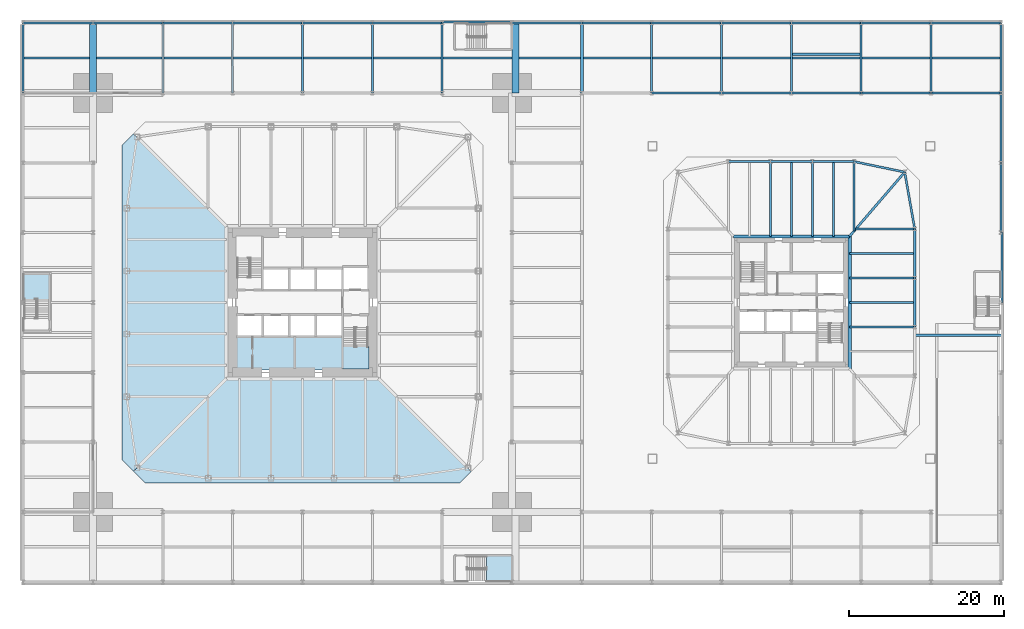
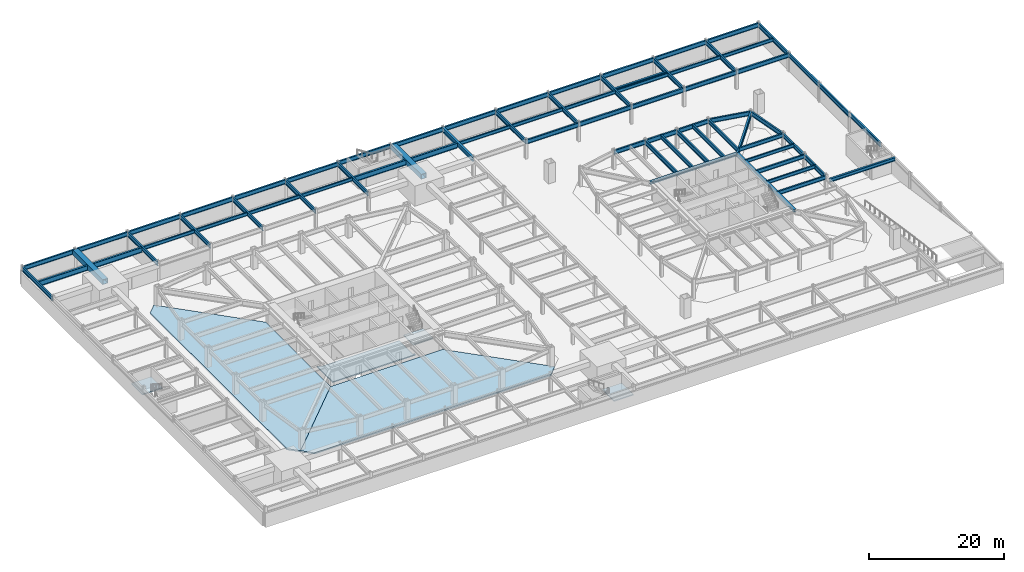
# One storey, part 8 of 17: 73 beams, 6 slabs, 3 elements without a shape of their own.
"""IFC4 building model written with IfcOpenShell, lengths in metres."""

from ifc_helpers import new_model, si_unit, direction, frame, origin, origin_2d, place, context, subcontext, project, spatial, polyline, hollow_rectangle, i_section, outline, extrude, material, layer, layer_set, constituent, constituent_set, material_profile, profile_set, type_object, element, aggregate, save


model = new_model("IFC4")

# Units and contexts
model_context = context("Model", 3, precision=1e-05, world=origin(), true_north=direction((0.0, 1.0)))
body_context = subcontext(model_context, "Body", "Model", "MODEL_VIEW")
ifc_project = project(units=[si_unit("LENGTHUNIT", "METRE"), si_unit("AREAUNIT", "SQUARE_METRE"), si_unit("VOLUMEUNIT", "CUBIC_METRE"), si_unit("PLANEANGLEUNIT", "RADIAN"), si_unit("MASSUNIT", "GRAM", prefix="KILO")], contexts=[model_context])

# Site, building, storey
site_placement = place(None, origin())
site = spatial("IfcSite", under=ifc_project, at=site_placement, CompositionType="ELEMENT")
building_placement = place(site_placement, origin())
building = spatial("IfcBuilding", under=site, at=building_placement, Name="Iwan Alto Co-Living Towers", CompositionType="ELEMENT")
storey_placement = place(building_placement, frame((0.0, 0.0, -3.60009765625)))
storey = spatial("IfcBuildingStorey", under=building, at=storey_placement, Name="B1", CompositionType="ELEMENT", Elevation=-3.60009765625)

# Beams
ifc_material_1 = material(Name="Steel ASTM A992 Gr 50", Category="steel")
ifc_material_profile_1 = material_profile(ifc_material_1, i_section(OverallWidth=0.2666015625, OverallDepth=0.76953125, WebThickness=0.015625, FlangeThickness=0.025390625, at=origin_2d()), Name="W30X132")
ifc_profile_set_1 = profile_set([ifc_material_profile_1], Name="Steel ASTM A992 Gr 50")
beam_type_1 = type_object("IfcBeamType", Name="PODIUM GROUND FLOOR BEAM W30X132", PredefinedType="BEAM", material=ifc_profile_set_1)
for number, where, z_axis, x_axis, name in (
    (1, (-36.0, 27.0, 2.96533203125), (0.0, 1.0, 0.0), (-1.0, 0.0, 0.0), "Podium beam 1/H-1/I L00"),
    (2, (-36.0, 36.0, 2.96533203125), (1.0, 0.0, 0.0), (0.0, 1.0, 0.0), "Podium beam 1/I-2/I L00"),
    (3, (-27.0, 36.0, 2.96533203125), (1.0, 0.0, 0.0), (0.0, 1.0, 0.0), "Podium beam 2/I-3/I L00"),
    (4, (-18.0, 27.0, 2.96533203125), (0.0, 1.0, 0.0), (-1.0, 0.0, 0.0), "Podium beam 3/H-3/I L00"),
    (5, (-18.0, 36.0, 2.96533203125), (1.0, 0.0, 0.0), (0.0, 1.0, 0.0), "Podium beam 3/I-4/I L00"),
    (6, (-9.0, 27.0, 2.96533203125), (0.0, 1.0, 0.0), (-1.0, 0.0, 0.0), "Podium beam 4/H-4/I L00"),
    (7, (-9.0, 36.0, 2.96533203125), (1.0, 0.0, 0.0), (0.0, 1.0, 0.0), "Podium beam 4/I-5/I L00"),
    (8, (0.0, 27.0, 2.96533203125), (0.0, 1.0, 0.0), (-1.0, 0.0, 0.0), "Podium beam 5/H-5/I L00"),
    (9, (0.0, 36.0, 2.96533203125), (1.0, 0.0, 0.0), (0.0, 1.0, 0.0), "Podium beam 5/I-6/I L00"),
    (10, (9.0, 27.0, 2.96533203125), (0.0, 1.0, 0.0), (-1.0, 0.0, 0.0), "Podium beam 6/H-6/I L00"),
    (11, (9.0, 36.0, 2.96533203125), (1.0, 0.0, 0.0), (0.0, 1.0, 0.0), "Podium beam 6/I-7/I L00"),
    (12, (18.0, 27.0, 2.96533203125), (0.0, 1.0, 0.0), (-1.0, 0.0, 0.0), "Podium beam 7/H-7/I L00"),
    (13, (18.0, 36.1533203125, 2.96533203125), (1.0, 0.0, 0.0), (0.0, 1.0, 0.0), "Podium beam 7/I-8/I L00"),
    (14, (27.0, 36.0, 2.96533203125), (1.0, 0.0, 0.0), (0.0, 1.0, 0.0), "Podium beam 8/I-9/I L00"),
    (15, (36.0, 36.0, 2.96533203125), (1.0, 0.0, 0.0), (0.0, 1.0, 0.0), "Podium beam 9/I-10/I L00"),
    (16, (45.0, 27.0, 2.96533203125), (1.0, 0.0, 0.0), (0.0, 1.0, 0.0), "Podium beam 10/H-11/H L00"),
    (17, (45.0, 27.0, 2.96533203125), (0.0, 1.0, 0.0), (-1.0, 0.0, 0.0), "Podium beam 10/H-10/I L00"),
    (18, (45.0, 36.0, 2.96533203125), (1.0, 0.0, 0.0), (0.0, 1.0, 0.0), "Podium beam 10/I-11/I L00"),
    (19, (54.0, 27.0, 2.96533203125), (1.0, 0.0, 0.0), (0.0, 1.0, 0.0), "Podium beam 11/H-12/H L00"),
    (20, (54.0, 27.0, 2.96533203125), (0.0, 1.0, 0.0), (-1.0, 0.0, 0.0), "Podium beam 11/H-11/I L00"),
    (21, (54.0, 36.0, 2.96533203125), (1.0, 0.0, 0.0), (0.0, 1.0, 0.0), "Podium beam 11/I-12/I L00"),
    (22, (63.0, 27.0, 2.96533203125), (1.0, 0.0, 0.0), (0.0, 1.0, 0.0), "Podium beam 12/H-13/H L00"),
    (23, (63.0, 27.0, 2.96533203125), (0.0, 1.0, 0.0), (-1.0, 0.0, 0.0), "Podium beam 12/H-12/I L00"),
    (24, (63.0, 36.0, 2.96533203125), (1.0, 0.0, 0.0), (0.0, 1.0, 0.0), "Podium beam 12/I-13/I L00"),
    (25, (72.0, 27.0, 2.96533203125), (1.0, 0.0, 0.0), (0.0, 1.0, 0.0), "Podium beam 13/H-14/H L00"),
    (26, (72.0, 27.0, 2.96533203125), (0.0, 1.0, 0.0), (-1.0, 0.0, 0.0), "Podium beam 13/H-13/I L00"),
    (27, (72.0, 36.0, 2.96533203125), (1.0, 0.0, 0.0), (0.0, 1.0, 0.0), "Podium beam 13/I-14/I L00"),
    (28, (81.0, 27.0, 2.96533203125), (1.0, 0.0, 0.0), (0.0, 1.0, 0.0), "Podium beam 14/H-15/H L00"),
    (29, (81.0, 27.0, 2.96533203125), (0.0, 1.0, 0.0), (-1.0, 0.0, 0.0), "Podium beam 14/H-14/I L00"),
    (30, (81.0, 36.0, 2.96533203125), (1.0, 0.0, 0.0), (0.0, 1.0, 0.0), "Podium beam 14/I-15/I L00"),
    (31, (90.1533203125, 0.0, 2.96533203125), (0.0, 1.0, 0.0), (-1.0, 0.0, 0.0), "Podium beam 15/E-15/F L00"),
    (32, (90.0, 9.0, 2.96533203125), (0.0, 1.0, 0.0), (-1.0, 0.0, 0.0), "Podium beam 15/F-15/G L00"),
    (33, (90.0, 18.0, 2.96533203125), (0.0, 1.0, 0.0), (-1.0, 0.0, 0.0), "Podium beam 15/G-15/H L00"),
    (34, (90.0, 27.0, 2.96533203125), (0.0, 1.0, 0.0), (-1.0, 0.0, 0.0), "Podium beam 15/H-15/I L00"),
):
    element("IfcBeam", number, at=place(storey_placement, frame(where, z_axis=z_axis, x_axis=x_axis)), inside=storey, type_object=beam_type_1, Name=name, PredefinedType="BEAM", context=body_context, shape_type="SweptSolid", body=[
        extrude(i_section(OverallWidth=0.2666015625, OverallDepth=0.76953125, WebThickness=0.015625, FlangeThickness=0.025390625, at=origin_2d()), origin(), (0.0, 0.0, 1.0), 9.0),
    ])
ifc_material_2 = material(Name="Steel ASTM A992 Gr 50", Category="steel")
ifc_material_profile_2 = material_profile(ifc_material_2, i_section(OverallWidth=0.381103515625, OverallDepth=0.772216796875, WebThickness=0.0166015625, FlangeThickness=0.027099609375, at=origin_2d()), Name="W30X173")
ifc_profile_set_2 = profile_set([ifc_material_profile_2], Name="Steel ASTM A992 Gr 50")
beam_type_2 = type_object("IfcBeamType", Name="PODIUM JOINT BEAM W30X173", PredefinedType="BEAM", material=ifc_profile_set_2)
beam_1_placement = place(storey_placement, frame((36.0, 27.0, 2.964111328125), z_axis=(0.0, 1.0, 0.0), x_axis=(-1.0, 0.0, 0.0)))
element("IfcBeam", 35, at=beam_1_placement, inside=storey, type_object=beam_type_2, Name="Podium beam 9/H-9/I L00", PredefinedType="BEAM", context=body_context, shape_type="SweptSolid", body=[
    extrude(i_section(OverallWidth=0.381103515625, OverallDepth=0.772216796875, WebThickness=0.0166015625, FlangeThickness=0.027099609375, at=origin_2d()), origin(), (0.0, 0.0, 1.0), 9.0),
])
ifc_material_3 = material(Name="Steel ASTM A992 Gr 50", Category="steel")
ifc_material_profile_3 = material_profile(ifc_material_3, i_section(OverallWidth=0.307373046875, OverallDepth=0.927001953125, WebThickness=0.01953125, FlangeThickness=0.031982421875, at=origin_2d()), Name="W36X194")
ifc_profile_set_3 = profile_set([ifc_material_profile_3], Name="Steel ASTM A992 Gr 50")
beam_type_3 = type_object("IfcBeamType", Name="PODIUM PIER BAY SECONDARY BEAM W36X194", PredefinedType="JOIST", material=ifc_profile_set_3)
for number, where, z_axis, x_axis, name in (
    (36, (-35.86669921875, 31.5, 2.886474609375), (1.0, 0.0, 0.0), (0.0, 1.0, 0.0), "Podium secondary beam 1/H L00"),
    (37, (-26.550048828125, 31.5, 2.886474609375), (1.0, 0.0, 0.0), (0.0, 1.0, 0.0), "Podium secondary beam 2/H L00"),
):
    element("IfcBeam", number, at=place(storey_placement, frame(where, z_axis=z_axis, x_axis=x_axis)), inside=storey, type_object=beam_type_3, Name=name, PredefinedType="JOIST", context=body_context, shape_type="SweptSolid", body=[
        extrude(i_section(OverallWidth=0.307373046875, OverallDepth=0.927001953125, WebThickness=0.01953125, FlangeThickness=0.031982421875, at=origin_2d()), origin(), (0.0, 0.0, 1.0), 8.416748046875),
    ])
beam_2_placement = place(storey_placement, frame((18.13330078125, 31.5, 2.886474609375), z_axis=(1.0, 0.0, 0.0), x_axis=(0.0, 1.0, 0.0)))
element("IfcBeam", 38, at=beam_2_placement, inside=storey, type_object=beam_type_3, Name="Podium secondary beam 7/H L00", PredefinedType="JOIST", context=body_context, shape_type="SweptSolid", body=[
    extrude(i_section(OverallWidth=0.307373046875, OverallDepth=0.927001953125, WebThickness=0.01953125, FlangeThickness=0.031982421875, at=origin_2d()), origin(), (0.0, 0.0, 1.0), 8.88671875),
])
beam_3_placement = place(storey_placement, frame((27.919921875, 31.5, 2.886474609375), z_axis=(1.0, 0.0, 0.0), x_axis=(0.0, 1.0, 0.0)))
element("IfcBeam", 39, at=beam_3_placement, inside=storey, type_object=beam_type_3, Name="Podium secondary beam 8/H L00", PredefinedType="JOIST", context=body_context, shape_type="SweptSolid", body=[
    extrude(i_section(OverallWidth=0.307373046875, OverallDepth=0.927001953125, WebThickness=0.01953125, FlangeThickness=0.031982421875, at=origin_2d()), origin(), (0.0, 0.0, 1.0), 7.8896484375),
])
ifc_material_4 = material(Name="Steel ASTM A572 Gr 50", Category="steel")
ifc_material_profile_4 = material_profile(ifc_material_4, hollow_rectangle(XDim=0.89990234375, YDim=0.89990234375, WallThickness=0.06005859375, at=origin_2d()), Name="BOX 900X900X60")
ifc_profile_set_4 = profile_set([ifc_material_profile_4], Name="Steel ASTM A572 Gr 50")
beam_type_4 = type_object("IfcBeamType", Name="PODIUM PIER BEAM BOX 900X900X60", PredefinedType="BEAM", material=ifc_profile_set_4)
for number, where, z_axis, x_axis, name in (
    (40, (-27.0, 27.0, 2.900146484375), (0.0, 1.0, 0.0), (-1.0, 0.0, 0.0), "Podium beam 2/H-2/I L00"),
    (41, (27.469970703125, 27.0, 2.900146484375), (0.0, 1.0, 0.0), (-1.0, 0.0, 0.0), "Podium beam 8/H-8/I L00"),
):
    element("IfcBeam", number, at=place(storey_placement, frame(where, z_axis=z_axis, x_axis=x_axis)), inside=storey, type_object=beam_type_4, Name=name, PredefinedType="BEAM", context=body_context, shape_type="SweptSolid", body=[
        extrude(hollow_rectangle(XDim=0.89990234375, YDim=0.89990234375, WallThickness=0.06005859375, at=origin_2d()), origin(), (0.0, 0.0, 1.0), 9.0),
    ])
ifc_material_5 = material(Name="Steel ASTM A992 Gr 50", Category="steel")
ifc_material_profile_5 = material_profile(ifc_material_5, i_section(OverallWidth=0.23046875, OverallDepth=0.6171875, WebThickness=0.01318359375, FlangeThickness=0.022216796875, at=origin_2d()), Name="W24X94")
ifc_profile_set_5 = profile_set([ifc_material_profile_5], Name="Steel ASTM A992 Gr 50")
beam_type_5 = type_object("IfcBeamType", Name="PODIUM SECONDARY BEAM W24X94", PredefinedType="JOIST", material=ifc_profile_set_5)
for number, where, z_axis, x_axis, name in (
    (42, (-17.86669921875, 31.5, 3.04150390625), (1.0, 0.0, 0.0), (0.0, 1.0, 0.0), "Podium secondary beam 3/H L00"),
    (43, (-8.86669921875, 31.5, 3.04150390625), (1.0, 0.0, 0.0), (0.0, 1.0, 0.0), "Podium secondary beam 4/H L00"),
    (44, (0.13330078125, 31.5, 3.04150390625), (1.0, 0.0, 0.0), (0.0, 1.0, 0.0), "Podium secondary beam 5/H L00"),
    (45, (9.13330078125, 31.5, 3.04150390625), (1.0, 0.0, 0.0), (0.0, 1.0, 0.0), "Podium secondary beam 6/H L00"),
):
    element("IfcBeam", number, at=place(storey_placement, frame(where, z_axis=z_axis, x_axis=x_axis)), inside=storey, type_object=beam_type_5, Name=name, PredefinedType="JOIST", context=body_context, shape_type="SweptSolid", body=[
        extrude(i_section(OverallWidth=0.23046875, OverallDepth=0.6171875, WebThickness=0.01318359375, FlangeThickness=0.022216796875, at=origin_2d()), origin(), (0.0, 0.0, 1.0), 8.7333984375),
    ])
beam_4_placement = place(storey_placement, frame((36.1904296875, 31.5, 3.04150390625), z_axis=(1.0, 0.0, 0.0), x_axis=(0.0, 1.0, 0.0)))
element("IfcBeam", 46, at=beam_4_placement, inside=storey, type_object=beam_type_5, Name="Podium secondary beam 9/H L00", PredefinedType="JOIST", context=body_context, shape_type="SweptSolid", body=[
    extrude(i_section(OverallWidth=0.23046875, OverallDepth=0.6171875, WebThickness=0.01318359375, FlangeThickness=0.022216796875, at=origin_2d()), origin(), (0.0, 0.0, 1.0), 8.67626953125),
])
for number, where, z_axis, x_axis, name in (
    (47, (45.13330078125, 31.5, 3.04150390625), (1.0, 0.0, 0.0), (0.0, 1.0, 0.0), "Podium secondary beam 10/H L00"),
    (48, (54.13330078125, 31.5, 3.04150390625), (1.0, 0.0, 0.0), (0.0, 1.0, 0.0), "Podium secondary beam 11/H L00"),
    (49, (63.13330078125, 31.5, 3.04150390625), (1.0, 0.0, 0.0), (0.0, 1.0, 0.0), "Podium secondary beam 12/H L00"),
    (50, (72.13330078125, 31.5, 3.04150390625), (1.0, 0.0, 0.0), (0.0, 1.0, 0.0), "Podium secondary beam 13/H L00"),
    (51, (81.13330078125, 31.5, 3.04150390625), (1.0, 0.0, 0.0), (0.0, 1.0, 0.0), "Podium secondary beam 14/H L00"),
):
    element("IfcBeam", number, at=place(storey_placement, frame(where, z_axis=z_axis, x_axis=x_axis)), inside=storey, type_object=beam_type_5, Name=name, PredefinedType="JOIST", context=body_context, shape_type="SweptSolid", body=[
        extrude(i_section(OverallWidth=0.23046875, OverallDepth=0.6171875, WebThickness=0.01318359375, FlangeThickness=0.022216796875, at=origin_2d()), origin(), (0.0, 0.0, 1.0), 8.7333984375),
    ])
ifc_material_6 = material(Name="Steel ASTM A992 Gr 50", Category="steel")
ifc_material_profile_6 = material_profile(ifc_material_6, i_section(OverallWidth=0.424072265625, OverallDepth=0.47509765625, WebThickness=0.0478515625, FlangeThickness=0.0771484375, at=origin_2d()), Name="W14X426")
ifc_profile_set_6 = profile_set([ifc_material_profile_6], Name="Steel ASTM A992 Gr 50")
beam_type_6 = type_object("IfcBeamType", Name="T2 CORE LEDGER BEAM W14X426", PredefinedType="BEAM", material=ifc_profile_set_6)
beam_5_placement = place(storey_placement, frame((70.51220703125, -8.546630859375, 3.112548828125), z_axis=(0.0, 1.0, 0.0), x_axis=(-1.0, 0.0, 0.0)))
element("IfcBeam", 52, at=beam_5_placement, inside=storey, type_object=beam_type_6, Name="T2 core ledger beam E L00", PredefinedType="BEAM", context=body_context, shape_type="SweptSolid", body=[
    extrude(i_section(OverallWidth=0.424072265625, OverallDepth=0.47509765625, WebThickness=0.0478515625, FlangeThickness=0.0771484375, at=origin_2d()), origin(), (0.0, 0.0, 1.0), 17.09326171875),
])
beam_6_placement = place(storey_placement, frame((70.482421875, 8.51220703125, 3.112548828125), z_axis=(-1.0, 0.0, 0.0), x_axis=(0.0, -1.0, 0.0)))
element("IfcBeam", 53, at=beam_6_placement, inside=storey, type_object=beam_type_6, Name="T2 core ledger beam N L00", PredefinedType="BEAM", context=body_context, shape_type="SweptSolid", body=[
    extrude(i_section(OverallWidth=0.424072265625, OverallDepth=0.47509765625, WebThickness=0.0478515625, FlangeThickness=0.0771484375, at=origin_2d()), origin(), (0.0, 0.0, 1.0), 14.96484375),
])
ifc_material_7 = material(Name="Steel ASTM A992 Gr 50", Category="steel")
ifc_material_profile_7 = material_profile(ifc_material_7, i_section(OverallWidth=0.2919921875, OverallDepth=0.8408203125, WebThickness=0.0146484375, FlangeThickness=0.021728515625, at=origin_2d()), Name="W33X130")
ifc_profile_set_7 = profile_set([ifc_material_profile_7], Name="Steel ASTM A992 Gr 50")
beam_type_7 = type_object("IfcBeamType", Name="T2 CORNER GIRDER W33X130", PredefinedType="BEAM", material=ifc_profile_set_7)
beam_7_placement = place(storey_placement, frame((77.606201171875, 16.797119140625, 2.9296875), z_axis=(-0.651973760483, -0.758241528565, 0.0), x_axis=(0.758241528565, -0.651973760483, 0.0)))
element("IfcBeam", 54, at=beam_7_placement, inside=storey, type_object=beam_type_7, Name="T2 corner girder CNE L00", PredefinedType="BEAM", context=body_context, shape_type="SweptSolid", body=[
    extrude(i_section(OverallWidth=0.2919921875, OverallDepth=0.8408203125, WebThickness=0.0146484375, FlangeThickness=0.021728515625, at=origin_2d()), origin(), (0.0, 0.0, 1.0), 10.926513671875),
])
ifc_material_8 = material(Name="Steel ASTM A992 Gr 50", Category="steel")
ifc_material_profile_8 = material_profile(ifc_material_8, i_section(OverallWidth=0.2666015625, OverallDepth=0.761962890625, WebThickness=0.014404296875, FlangeThickness=0.021484375, at=origin_2d()), Name="W30X116")
ifc_profile_set_8 = profile_set([ifc_material_profile_8], Name="Steel ASTM A992 Gr 50")
beam_type_8 = type_object("IfcBeamType", Name="T2 EDGE BEAM W30X116", PredefinedType="BEAM", material=ifc_profile_set_8)
beam_8_placement = place(storey_placement, frame((78.89990234375, -3.14990234375, 2.968994140625), z_axis=(0.0, 1.0, 0.0), x_axis=(-1.0, 0.0, 0.0)))
element("IfcBeam", 55, at=beam_8_placement, inside=storey, type_object=beam_type_8, Name="T2 edge beam E2 L00", PredefinedType="BEAM", context=body_context, shape_type="SweptSolid", body=[
    extrude(i_section(OverallWidth=0.2666015625, OverallDepth=0.761962890625, WebThickness=0.014404296875, FlangeThickness=0.021484375, at=origin_2d()), origin(), (0.0, 0.0, 1.0), 6.2998046875),
])
beam_9_placement = place(storey_placement, frame((78.89990234375, 3.14990234375, 2.968994140625), z_axis=(0.0, 1.0, 0.0), x_axis=(-1.0, 0.0, 0.0)))
element("IfcBeam", 56, at=beam_9_placement, inside=storey, type_object=beam_type_8, Name="T2 edge beam E3 L00", PredefinedType="BEAM", context=body_context, shape_type="SweptSolid", body=[
    extrude(i_section(OverallWidth=0.2666015625, OverallDepth=0.761962890625, WebThickness=0.014404296875, FlangeThickness=0.021484375, at=origin_2d()), origin(), (0.0, 0.0, 1.0), 6.300048828125),
])
beam_10_placement = place(storey_placement, frame((78.89990234375, 9.449951171875, 2.968994140625), z_axis=(-0.173413807283, 0.98484905008, 0.0), x_axis=(-0.98484905008, -0.173413807283, 0.0)))
element("IfcBeam", 57, at=beam_10_placement, inside=storey, type_object=beam_type_8, Name="T2 edge beam E4 L00", PredefinedType="BEAM", context=body_context, shape_type="SweptSolid", body=[
    extrude(i_section(OverallWidth=0.2666015625, OverallDepth=0.761962890625, WebThickness=0.014404296875, FlangeThickness=0.021484375, at=origin_2d()), origin(), (0.0, 0.0, 1.0), 7.460205078125),
])
beam_11_placement = place(storey_placement, frame((77.606201171875, 16.797119140625, 2.968994140625), z_axis=(-0.979060119423, 0.203571320564, 0.0), x_axis=(-0.203571320564, -0.979060119423, 0.0)))
element("IfcBeam", 58, at=beam_11_placement, inside=storey, type_object=beam_type_8, Name="T2 edge beam CNE L00", PredefinedType="BEAM", context=body_context, shape_type="SweptSolid", body=[
    extrude(i_section(OverallWidth=0.2666015625, OverallDepth=0.761962890625, WebThickness=0.014404296875, FlangeThickness=0.021484375, at=origin_2d()), origin(), (0.0, 0.0, 1.0), 6.645263671875),
])
beam_12_placement = place(storey_placement, frame((71.10009765625, 18.14990234375, 2.968994140625), z_axis=(-1.0, 0.0, 0.0), x_axis=(0.0, -1.0, 0.0)))
element("IfcBeam", 59, at=beam_12_placement, inside=storey, type_object=beam_type_8, Name="T2 edge beam N1 L00", PredefinedType="BEAM", context=body_context, shape_type="SweptSolid", body=[
    extrude(i_section(OverallWidth=0.2666015625, OverallDepth=0.761962890625, WebThickness=0.014404296875, FlangeThickness=0.021484375, at=origin_2d()), origin(), (0.0, 0.0, 1.0), 5.400146484375),
])
beam_13_placement = place(storey_placement, frame((65.699951171875, 18.14990234375, 2.968994140625), z_axis=(-1.0, 0.0, 0.0), x_axis=(0.0, -1.0, 0.0)))
element("IfcBeam", 60, at=beam_13_placement, inside=storey, type_object=beam_type_8, Name="T2 edge beam N2 L00", PredefinedType="BEAM", context=body_context, shape_type="SweptSolid", body=[
    extrude(i_section(OverallWidth=0.2666015625, OverallDepth=0.761962890625, WebThickness=0.014404296875, FlangeThickness=0.021484375, at=origin_2d()), origin(), (0.0, 0.0, 1.0), 5.39990234375),
])
beam_14_placement = place(storey_placement, frame((60.300048828125, 18.14990234375, 2.968994140625), z_axis=(-1.0, 0.0, 0.0), x_axis=(0.0, -1.0, 0.0)))
element("IfcBeam", 61, at=beam_14_placement, inside=storey, type_object=beam_type_8, Name="T2 edge beam N3 L00", PredefinedType="BEAM", context=body_context, shape_type="SweptSolid", body=[
    extrude(i_section(OverallWidth=0.2666015625, OverallDepth=0.761962890625, WebThickness=0.014404296875, FlangeThickness=0.021484375, at=origin_2d()), origin(), (0.0, 0.0, 1.0), 5.400146484375),
])
ifc_material_9 = material(Name="Steel ASTM A992 Gr 50", Category="steel")
ifc_material_profile_9 = material_profile(ifc_material_9, i_section(OverallWidth=0.25390625, OverallDepth=0.683349609375, WebThickness=0.012451171875, FlangeThickness=0.018798828125, at=origin_2d()), Name="W27X94")
ifc_profile_set_9 = profile_set([ifc_material_profile_9], Name="Steel ASTM A992 Gr 50")
beam_type_9 = type_object("IfcBeamType", Name="T2 RADIAL BEAM W27X94", PredefinedType="BEAM", material=ifc_profile_set_9)
for number, where, z_axis, x_axis, name in (
    (62, (78.89990234375, -3.14990234375, 3.008544921875), (-1.0, 0.0, 0.0), (0.0, -1.0, 0.0), "T2 radial beam E2 L00"),
    (63, (78.89990234375, 3.14990234375, 3.008544921875), (-1.0, 0.0, 0.0), (0.0, -1.0, 0.0), "T2 radial beam E3 L00"),
):
    element("IfcBeam", number, at=place(storey_placement, frame(where, z_axis=z_axis, x_axis=x_axis)), inside=storey, type_object=beam_type_9, Name=name, PredefinedType="BEAM", context=body_context, shape_type="SweptSolid", body=[
        extrude(i_section(OverallWidth=0.25390625, OverallDepth=0.683349609375, WebThickness=0.012451171875, FlangeThickness=0.018798828125, at=origin_2d()), origin(), (0.0, 0.0, 1.0), 8.3876953125),
    ])
beam_15_placement = place(storey_placement, frame((78.89990234375, 9.449951171875, 3.008544921875), z_axis=(-1.0, 0.0, 0.0), x_axis=(0.0, -1.0, 0.0)))
element("IfcBeam", 64, at=beam_15_placement, inside=storey, type_object=beam_type_9, Name="T2 radial beam E4 L00", PredefinedType="BEAM", context=body_context, shape_type="SweptSolid", body=[
    extrude(i_section(OverallWidth=0.25390625, OverallDepth=0.683349609375, WebThickness=0.012451171875, FlangeThickness=0.018798828125, at=origin_2d()), origin(), (0.0, 0.0, 1.0), 7.611083984375),
])
beam_16_placement = place(storey_placement, frame((71.10009765625, 18.14990234375, 3.008544921875), z_axis=(0.0, -1.0, 0.0), x_axis=(1.0, 0.0, 0.0)))
element("IfcBeam", 65, at=beam_16_placement, inside=storey, type_object=beam_type_9, Name="T2 radial beam N1 L00", PredefinedType="BEAM", context=body_context, shape_type="SweptSolid", body=[
    extrude(i_section(OverallWidth=0.25390625, OverallDepth=0.683349609375, WebThickness=0.012451171875, FlangeThickness=0.018798828125, at=origin_2d()), origin(), (0.0, 0.0, 1.0), 8.91943359375),
])
ifc_material_10 = material(Name="Steel ASTM A992 Gr 50", Category="steel")
ifc_material_profile_10 = material_profile(ifc_material_10, i_section(OverallWidth=0.2666015625, OverallDepth=0.761962890625, WebThickness=0.014404296875, FlangeThickness=0.021484375, at=origin_2d()), Name="W30X116")
ifc_profile_set_10 = profile_set([ifc_material_profile_10], Name="Steel ASTM A992 Gr 50")
beam_type_10 = type_object("IfcBeamType", Name="T2 RADIAL BEAM W30X116", PredefinedType="BEAM", material=ifc_profile_set_10)
for number, where, z_axis, x_axis, name in (
    (66, (65.699951171875, 18.14990234375, 2.968994140625), (0.0, -1.0, 0.0), (1.0, 0.0, 0.0), "T2 radial beam N2 L00"),
    (67, (60.300048828125, 18.14990234375, 2.968994140625), (0.0, -1.0, 0.0), (1.0, 0.0, 0.0), "T2 radial beam N3 L00"),
):
    element("IfcBeam", number, at=place(storey_placement, frame(where, z_axis=z_axis, x_axis=x_axis)), inside=storey, type_object=beam_type_10, Name=name, PredefinedType="BEAM", context=body_context, shape_type="SweptSolid", body=[
        extrude(i_section(OverallWidth=0.2666015625, OverallDepth=0.761962890625, WebThickness=0.014404296875, FlangeThickness=0.021484375, at=origin_2d()), origin(), (0.0, 0.0, 1.0), 9.6376953125),
    ])
ifc_material_11 = material(Name="Steel ASTM A992 Gr 50", Category="steel")
ifc_material_profile_11 = material_profile(ifc_material_11, i_section(OverallWidth=0.228271484375, OverallDepth=0.607177734375, WebThickness=0.01123046875, FlangeThickness=0.017333984375, at=origin_2d()), Name="W24X76")
ifc_profile_set_11 = profile_set([ifc_material_profile_11], Name="Steel ASTM A992 Gr 50")
beam_type_11 = type_object("IfcBeamType", Name="T2 SECONDARY BEAM W24X76", PredefinedType="JOIST", material=ifc_profile_set_11)
for number, where, z_axis, x_axis, name in (
    (68, (78.89990234375, 0.0, 3.046630859375), (-1.0, 0.0, 0.0), (0.0, -1.0, 0.0), "T2 secondary beam E2 L00"),
    (69, (78.89990234375, 6.300048828125, 3.046630859375), (-1.0, 0.0, 0.0), (0.0, -1.0, 0.0), "T2 secondary beam E3 L00"),
):
    element("IfcBeam", number, at=place(storey_placement, frame(where, z_axis=z_axis, x_axis=x_axis)), inside=storey, type_object=beam_type_11, Name=name, PredefinedType="JOIST", context=body_context, shape_type="SweptSolid", body=[
        extrude(i_section(OverallWidth=0.228271484375, OverallDepth=0.607177734375, WebThickness=0.01123046875, FlangeThickness=0.017333984375, at=origin_2d()), origin(), (0.0, 0.0, 1.0), 8.3876953125),
    ])
ifc_material_12 = material(Name="Steel ASTM A992 Gr 50", Category="steel")
ifc_material_profile_12 = material_profile(ifc_material_12, i_section(OverallWidth=0.25390625, OverallDepth=0.683349609375, WebThickness=0.012451171875, FlangeThickness=0.018798828125, at=origin_2d()), Name="W27X94")
ifc_profile_set_12 = profile_set([ifc_material_profile_12], Name="Steel ASTM A992 Gr 50")
beam_type_12 = type_object("IfcBeamType", Name="T2 SECONDARY BEAM W27X94", PredefinedType="JOIST", material=ifc_profile_set_12)
for number, where, z_axis, x_axis, name in (
    (70, (68.39990234375, 18.14990234375, 3.008544921875), (0.0, -1.0, 0.0), (1.0, 0.0, 0.0), "T2 secondary beam N1 L00"),
    (71, (63.0, 18.14990234375, 3.008544921875), (0.0, -1.0, 0.0), (1.0, 0.0, 0.0), "T2 secondary beam N2 L00"),
):
    element("IfcBeam", number, at=place(storey_placement, frame(where, z_axis=z_axis, x_axis=x_axis)), inside=storey, type_object=beam_type_12, Name=name, PredefinedType="JOIST", context=body_context, shape_type="SweptSolid", body=[
        extrude(i_section(OverallWidth=0.25390625, OverallDepth=0.683349609375, WebThickness=0.012451171875, FlangeThickness=0.018798828125, at=origin_2d()), origin(), (0.0, 0.0, 1.0), 9.6376953125),
    ])
ifc_material_13 = material(Name="Steel ASTM A992 Gr 50", Category="steel")
ifc_material_profile_13 = material_profile(ifc_material_13, i_section(OverallWidth=0.3251953125, OverallDepth=0.612060546875, WebThickness=0.0126953125, FlangeThickness=0.01904296875, at=origin_2d()), Name="W24X104")
ifc_profile_set_13 = profile_set([ifc_material_profile_13], Name="Steel ASTM A992 Gr 50")
beam_type_13 = type_object("IfcBeamType", Name="TRANSFER BEAM W24X104", PredefinedType="BEAM", material=ifc_profile_set_13)
beam_17_placement = place(storey_placement, frame((78.89990234375, -4.199951171875, 3.0439453125), z_axis=(1.0, 0.0, 0.0), x_axis=(0.0, 1.0, 0.0)))
element("IfcBeam", 72, at=beam_17_placement, inside=storey, type_object=beam_type_13, Name="Transfer beam under shaft wall L00", PredefinedType="BEAM", context=body_context, shape_type="SweptSolid", body=[
    extrude(i_section(OverallWidth=0.3251953125, OverallDepth=0.612060546875, WebThickness=0.0126953125, FlangeThickness=0.01904296875, at=origin_2d()), origin(), (0.0, 0.0, 1.0), 11.25341796875),
])
beam_18_placement = place(storey_placement, frame((63.0, 31.9599609375, 3.0439453125), z_axis=(1.0, 0.0, 0.0), x_axis=(0.0, 1.0, 0.0)))
element("IfcBeam", 73, at=beam_18_placement, inside=storey, type_object=beam_type_13, Name="Transfer beam under shaft wall L00", PredefinedType="BEAM", context=body_context, shape_type="SweptSolid", body=[
    extrude(i_section(OverallWidth=0.3251953125, OverallDepth=0.612060546875, WebThickness=0.0126953125, FlangeThickness=0.01904296875, at=origin_2d()), origin(), (0.0, 0.0, 1.0), 9.0),
])

# Slabs
ifc_material_14 = material(Name="Concrete f'c 30 MPa", Category="concrete")
ifc_layer_1 = layer(ifc_material_14, 0.199951171875)
ifc_layer_set_1 = layer_set([ifc_layer_1], Name="CORE FLOOR SLAB 200")
slab_type_1 = type_object("IfcSlabType", Name="CORE FLOOR SLAB 200", PredefinedType="FLOOR", material=ifc_layer_set_1)
slab_1_placement = place(storey_placement, frame((0.0, 0.0, -0.199951171875)))
element("IfcSlab", 74, at=slab_1_placement, inside=storey, type_object=slab_type_1, Name="T1 core floor B1", PredefinedType="FLOOR", context=body_context, shape_type="SweptSolid", body=[
    extrude(outline(polyline([(-1.699951171875, -4.39990234375), (1.72509765625, -4.39990234375), (5.14990234375, -4.39990234375), (5.14990234375, -8.39990234375), (5.4599609375, -8.39990234375), (5.4599609375, -8.699951171875), (-8.699951171875, -8.699951171875), (-8.699951171875, -4.090087890625), (-8.39990234375, -4.090087890625), (-8.39990234375, -4.39990234375), (-5.125, -4.39990234375), (-1.699951171875, -4.39990234375)])), origin(), (0.0, 0.0, 1.0), 0.199951171875),
])
ifc_material_15 = material(Name="Concrete f'c 30 MPa", Category="concrete")
ifc_layer_2 = layer(ifc_material_15, 0.25)
ifc_layer_set_2 = layer_set([ifc_layer_2], Name="PODIUM FLOOR SLAB 250")
slab_type_2 = type_object("IfcSlabType", Name="PODIUM FLOOR SLAB 250", PredefinedType="FLOOR", material=ifc_layer_set_2)
slab_2_placement = place(storey_placement, frame((0.0, 0.0, -0.25)))
element("IfcSlab", 75, at=slab_2_placement, inside=storey, type_object=slab_type_2, Name="Podium floor slab B1 T1 S pour", PredefinedType="FLOOR", context=body_context, shape_type="SweptSolid", body=[
    extrude(outline(polyline([(20.25, -23.25), (-20.25, -23.25), (-21.75, -21.75), (-9.60009765625, -9.60009765625), (9.60009765625, -9.60009765625), (21.75, -21.75), (20.25, -23.25)])), origin(), (0.0, 0.0, 1.0), 0.25),
])
slab_3_placement = place(storey_placement, frame((0.0, 0.0, -0.25)))
element("IfcSlab", 76, at=slab_3_placement, inside=storey, type_object=slab_type_2, Name="Podium floor slab B1 T1 W pour", PredefinedType="FLOOR", context=body_context, shape_type="SweptSolid", body=[
    extrude(outline(polyline([(-23.25, 20.25), (-21.75, 21.75), (-9.60009765625, 9.60009765625), (-9.60009765625, -9.60009765625), (-21.75, -21.75), (-23.25, -20.25), (-23.25, 20.25)])), origin(), (0.0, 0.0, 1.0), 0.25),
])

# Stair, slab
ifc_material_16 = material(Name="Steel ASTM A36", Category="steel")
ifc_constituent_1 = constituent(ifc_material_16, Name="Stringers", Category="LoadBearing")
ifc_material_17 = material(Name="Concrete f'c 30 MPa", Category="concrete")
ifc_constituent_2 = constituent(ifc_material_17, Name="Tread fill", Category="Finish")
ifc_constituent_set_1 = constituent_set(constituents=[ifc_constituent_1, ifc_constituent_2], Name="STAIR 3600 TWO-FLIGHT PODIUM")
stair_type_1 = type_object("IfcStairType", Name="STAIR 3600 TWO-FLIGHT PODIUM", PredefinedType="HALF_TURN_STAIR", material=ifc_constituent_set_1)
stair_1_placement = place(storey_placement, origin())
stair_1 = element("IfcStair", 77, at=stair_1_placement, inside=storey, type_object=stair_type_1, Name="Stair PS1 B1 to L00", PredefinedType="HALF_TURN_STAIR")
ifc_material_18 = material(Name="Concrete f'c 30 MPa", Category="concrete")
ifc_layer_3 = layer(ifc_material_18, 0.199951171875)
ifc_layer_set_3 = layer_set([ifc_layer_3], Name="STAIR LANDING 200")
slab_type_3 = type_object("IfcSlabType", Name="STAIR LANDING 200", PredefinedType="LANDING", material=ifc_layer_set_3)
slab_4_placement = place(storey_placement, frame((0.0, 0.0, 1.60009765625)))
slab_4 = element("IfcSlab", 78, at=slab_4_placement, type_object=slab_type_3, Name="PS1 landing 1", PredefinedType="LANDING", context=body_context, shape_type="SweptSolid", body=[
    extrude(outline(polyline([(-36.0, 0.389892578125), (-36.0, 3.699951171875), (-32.60009765625, 3.699951171875), (-32.60009765625, 0.389892578125), (-36.0, 0.389892578125)])), origin(), (0.0, 0.0, 1.0), 0.199951171875),
])
aggregate(stair_1, [slab_4])

stair_2_placement = place(storey_placement, origin())
stair_2 = element("IfcStair", 79, at=stair_2_placement, inside=storey, type_object=stair_type_1, Name="Stair PS4 B1 to L00", PredefinedType="HALF_TURN_STAIR")
slab_5_placement = place(storey_placement, frame((0.0, 0.0, 1.60009765625)))
slab_5 = element("IfcSlab", 80, at=slab_5_placement, type_object=slab_type_3, Name="PS4 landing 1", PredefinedType="LANDING", context=body_context, shape_type="SweptSolid", body=[
    extrude(outline(polyline([(23.68994140625, -36.0), (27.0, -36.0), (27.0, -32.60009765625), (23.68994140625, -32.60009765625), (23.68994140625, -36.0)])), origin(), (0.0, 0.0, 1.0), 0.199951171875),
])
aggregate(stair_2, [slab_5])

ifc_constituent_3 = constituent(ifc_material_16, Name="Stringers", Category="LoadBearing")
ifc_constituent_4 = constituent(ifc_material_17, Name="Tread fill", Category="Finish")
ifc_constituent_set_2 = constituent_set(constituents=[ifc_constituent_3, ifc_constituent_4], Name="STAIR 3600 TWO-FLIGHT T1 CORE")
stair_type_2 = type_object("IfcStairType", Name="STAIR 3600 TWO-FLIGHT T1 CORE", PredefinedType="HALF_TURN_STAIR", material=ifc_constituent_set_2)
stair_3_placement = place(storey_placement, origin())
stair_3 = element("IfcStair", 81, at=stair_3_placement, inside=storey, type_object=stair_type_2, Name="Stair T1-S2 B1 to L00", PredefinedType="HALF_TURN_STAIR")
slab_6_placement = place(storey_placement, frame((0.0, 0.0, 1.60009765625)))
slab_6 = element("IfcSlab", 82, at=slab_6_placement, type_object=slab_type_3, Name="T1-S2 landing 1", PredefinedType="LANDING", context=body_context, shape_type="SweptSolid", body=[
    extrude(outline(polyline([(5.14990234375, -5.68994140625), (5.14990234375, -8.550048828125), (8.550048828125, -8.550048828125), (8.550048828125, -5.68994140625), (5.14990234375, -5.68994140625)])), origin(), (0.0, 0.0, 1.0), 0.199951171875),
])
aggregate(stair_3, [slab_6])

save(model, "model.ifc")
